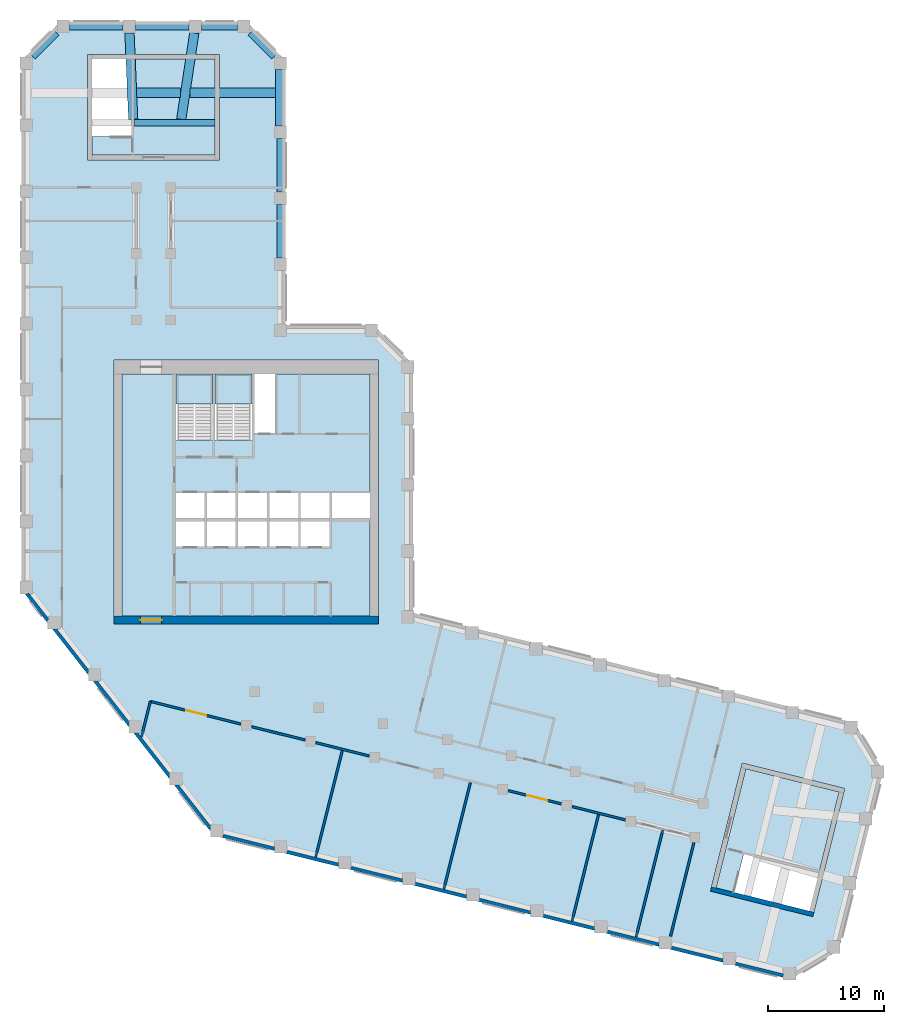
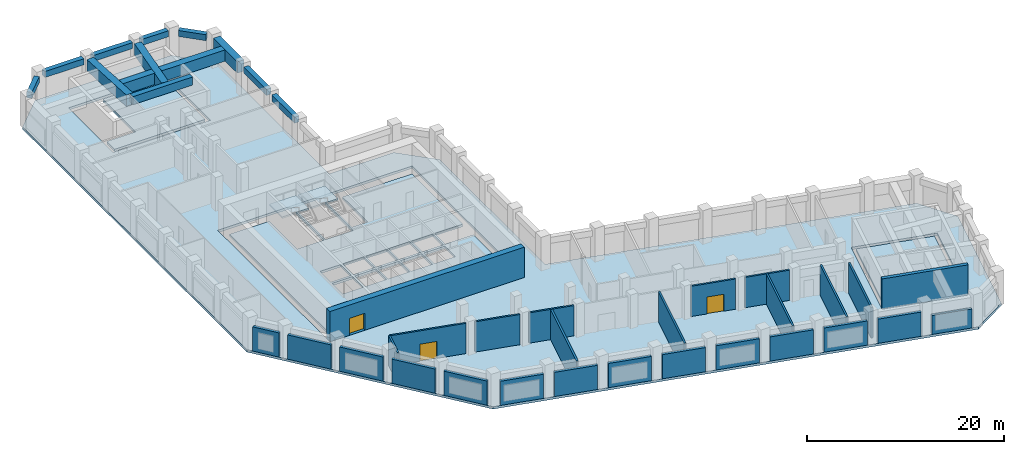
# One storey, part 2 of 8: 27 walls, 13 beams, 6 slabs, 3 doors, 3 openings, 2 elements without a shape of their own.
"""IFC4 building model written with IfcOpenShell, lengths in metres."""

from ifc_helpers import new_model, si_unit, direction, frame, frame_2d, origin, origin_2d, place, context, subcontext, project, spatial, polyline, rectangle, outline, extrude, material, layer, layer_set, material_profile, profile_set, type_object, element, fill, aggregate, save


model = new_model("IFC4")

# Units and contexts
model_context = context("Model", 3, precision=1e-05, world=origin(), true_north=direction((0.0, 1.0)))
body_context = subcontext(model_context, "Body", "Model", "MODEL_VIEW")
ifc_project = project(units=[si_unit("LENGTHUNIT", "METRE"), si_unit("AREAUNIT", "SQUARE_METRE"), si_unit("VOLUMEUNIT", "CUBIC_METRE"), si_unit("PLANEANGLEUNIT", "RADIAN"), si_unit("MASSUNIT", "GRAM", prefix="KILO")], contexts=[model_context])

# Site, building, storey
site_placement = place(None, origin())
site = spatial("IfcSite", under=ifc_project, at=site_placement, CompositionType="ELEMENT")
building_placement = place(site_placement, origin())
building = spatial("IfcBuilding", under=site, at=building_placement, Name="Meshkara Civic Tower", CompositionType="ELEMENT")
storey_placement = place(building_placement, frame((0.0, 0.0, 280.199951171875)))
storey = spatial("IfcBuildingStorey", under=building, at=storey_placement, Name="L64", CompositionType="ELEMENT", Elevation=280.199951171875)

# Beams
ifc_material_1 = material(Name="Concrete C60", Category="concrete")
ifc_material_profile_1 = material_profile(ifc_material_1, rectangle(XDim=0.60009765625, YDim=1.0, at=origin_2d()))
ifc_profile_set_1 = profile_set([ifc_material_profile_1], Name="Concrete C60")
beam_type_1 = type_object("IfcBeamType", Name="Core transfer beam RC 600x1000 C60", PredefinedType="BEAM", material=ifc_profile_set_1)
beam_1_placement = place(storey_placement, frame((9.699951171875, 57.3701171875, 3.25), z_axis=(1.0, 0.0, 0.0), x_axis=(0.0, 1.0, 0.0)))
element("IfcBeam", 1, at=beam_1_placement, inside=storey, type_object=beam_type_1, Name="Transfer beam A L65 tip-side wall", PredefinedType="BEAM", context=body_context, shape_type="SweptSolid", body=[
    extrude(rectangle(XDim=0.60009765625, YDim=1.0, at=origin_2d()), origin(), (0.0, 0.0, 1.0), 7.0),
])
ifc_material_2 = material(Name="Concrete C60", Category="concrete")
ifc_material_profile_2 = material_profile(ifc_material_2, rectangle(XDim=0.550048828125, YDim=0.75, at=origin_2d()))
ifc_profile_set_2 = profile_set([ifc_material_profile_2], Name="Concrete C60")
beam_type_2 = type_object("IfcBeamType", Name="Spandrel beam RC 550x750 C60", PredefinedType="BEAM", material=ifc_profile_set_2)
for number, where, z_axis, x_axis, name in (
    (2, (22.35009765625, 45.695068359375, 3.375), (0.0, 1.0, 0.0), (-1.0, 0.0, 0.0), "Spandrel beam AE01-AE02"),
    (3, (22.35009765625, 51.39501953125, 3.375), (0.0, 1.0, 0.0), (-1.0, 0.0, 0.0), "Spandrel beam AE02-AE03"),
):
    element("IfcBeam", number, at=place(storey_placement, frame(where, z_axis=z_axis, x_axis=x_axis)), inside=storey, type_object=beam_type_2, Name=name, PredefinedType="BEAM", context=body_context, shape_type="SweptSolid", body=[
        extrude(rectangle(XDim=0.550048828125, YDim=0.75, at=origin_2d()), origin(), (0.0, 0.0, 1.0), 4.60986328125),
    ])
beam_2_placement = place(storey_placement, frame((21.803466796875, 63.060546875, 3.375), z_axis=(-0.707106781187, 0.707106781187, 0.0), x_axis=(-0.707106781187, -0.707106781187, 0.0)))
element("IfcBeam", 4, at=beam_2_placement, inside=storey, type_object=beam_type_2, Name="Spandrel beam AEEP3-ATiEP3", PredefinedType="BEAM", context=body_context, shape_type="SweptSolid", body=[
    extrude(rectangle(XDim=0.550048828125, YDim=0.75, at=origin_2d()), origin(), (0.0, 0.0, 1.0), 2.91748046875),
])
beam_3_placement = place(storey_placement, frame((18.64892578125, 65.669921875, 3.375), z_axis=(-1.0, 0.0, 0.0), x_axis=(0.0, -1.0, 0.0)))
element("IfcBeam", 5, at=beam_3_placement, inside=storey, type_object=beam_type_2, Name="Spandrel beam AT02-P3-ATiEP3", PredefinedType="BEAM", context=body_context, shape_type="SweptSolid", body=[
    extrude(rectangle(XDim=0.550048828125, YDim=0.75, at=origin_2d()), origin(), (0.0, 0.0, 1.0), 3.097900390625),
])
beam_4_placement = place(storey_placement, frame((14.4609375, 65.669921875, 3.375), z_axis=(-1.0, 0.0, 0.0), x_axis=(0.0, -1.0, 0.0)))
element("IfcBeam", 6, at=beam_4_placement, inside=storey, type_object=beam_type_2, Name="Spandrel beam AT01-P3-AT02-P3", PredefinedType="BEAM", context=body_context, shape_type="SweptSolid", body=[
    extrude(rectangle(XDim=0.550048828125, YDim=0.75, at=origin_2d()), origin(), (0.0, 0.0, 1.0), 4.60986328125),
])
beam_5_placement = place(storey_placement, frame((8.760986328125, 65.669921875, 3.375), z_axis=(-1.0, 0.0, 0.0), x_axis=(0.0, -1.0, 0.0)))
element("IfcBeam", 7, at=beam_5_placement, inside=storey, type_object=beam_type_2, Name="Spandrel beam AT00-P3-AT01-P3", PredefinedType="BEAM", context=body_context, shape_type="SweptSolid", body=[
    extrude(rectangle(XDim=0.550048828125, YDim=0.75, at=origin_2d()), origin(), (0.0, 0.0, 1.0), 4.610107421875),
])
beam_6_placement = place(storey_placement, frame((3.0595703125, 65.12353515625, 3.375), z_axis=(-0.707106781187, -0.707106781187, 0.0), x_axis=(0.707106781187, -0.707106781187, 0.0)))
element("IfcBeam", 8, at=beam_6_placement, inside=storey, type_object=beam_type_2, Name="Spandrel beam AT00-P3-ATo00-P3", PredefinedType="BEAM", context=body_context, shape_type="SweptSolid", body=[
    extrude(rectangle(XDim=0.550048828125, YDim=0.75, at=origin_2d()), origin(), (0.0, 0.0, 1.0), 2.91748046875),
])
ifc_material_3 = material(Name="Concrete C70", Category="concrete")
ifc_material_profile_3 = material_profile(ifc_material_3, rectangle(XDim=0.800048828125, YDim=1.39990234375, at=origin_2d()))
ifc_profile_set_3 = profile_set([ifc_material_profile_3], Name="Concrete C70")
beam_type_3 = type_object("IfcBeamType", Name="Transfer girder RC 800x1400 C70", PredefinedType="BEAM", material=ifc_profile_set_3)
beam_7_placement = place(storey_placement, frame((22.35009765625, 57.094970703125, 3.050048828125), z_axis=(0.0, 1.0, 0.0), x_axis=(-1.0, 0.0, 0.0)))
element("IfcBeam", 9, at=beam_7_placement, inside=storey, type_object=beam_type_3, Name="Transfer girder AE03-AEEP3", PredefinedType="BEAM", context=body_context, shape_type="SweptSolid", body=[
    extrude(rectangle(XDim=0.800048828125, YDim=1.39990234375, at=origin_2d()), origin(), (0.0, 0.0, 1.0), 4.8740234375),
])
beam_8_placement = place(storey_placement, frame((9.6474609375, 57.669921875, 3.050048828125), z_axis=(-0.042632150905, 0.999090836566, 0.0), x_axis=(-0.999090836566, -0.042632150905, 0.0)))
element("IfcBeam", 10, at=beam_8_placement, inside=storey, type_object=beam_type_3, Name="Transfer girder AT01-P3-SA1-06", PredefinedType="BEAM", context=body_context, shape_type="SweptSolid", body=[
    extrude(rectangle(XDim=0.800048828125, YDim=1.39990234375, at=origin_2d()), origin(), (0.0, 0.0, 1.0), 7.4619140625),
])
beam_9_placement = place(storey_placement, frame((13.795654296875, 57.669921875, 3.050048828125), z_axis=(0.149594355509, 0.98874745451, 0.0), x_axis=(-0.98874745451, 0.149594355509, 0.0)))
element("IfcBeam", 11, at=beam_9_placement, inside=storey, type_object=beam_type_3, Name="Transfer girder AT02-P3-SA2-06", PredefinedType="BEAM", context=body_context, shape_type="SweptSolid", body=[
    extrude(rectangle(XDim=0.800048828125, YDim=1.39990234375, at=origin_2d()), origin(), (0.0, 0.0, 1.0), 7.5400390625),
])
beam_10_placement = place(storey_placement, frame((9.94921875, 59.969970703125, 3.050048828125), z_axis=(1.0, 0.0, 0.0), x_axis=(0.0, 1.0, 0.0)))
element("IfcBeam", 12, at=beam_10_placement, inside=storey, type_object=beam_type_3, Name="Transfer girder tip A L65", PredefinedType="BEAM", context=body_context, shape_type="SweptSolid", body=[
    extrude(rectangle(XDim=0.800048828125, YDim=1.39990234375, at=origin_2d()), origin(), (0.0, 0.0, 1.0), 3.79443359375),
])
beam_11_placement = place(storey_placement, frame((14.543701171875, 59.969970703125, 3.050048828125), z_axis=(1.0, 0.0, 0.0), x_axis=(0.0, 1.0, 0.0)))
element("IfcBeam", 13, at=beam_11_placement, inside=storey, type_object=beam_type_3, Name="Transfer girder tip A L65", PredefinedType="BEAM", context=body_context, shape_type="SweptSolid", body=[
    extrude(rectangle(XDim=0.800048828125, YDim=1.39990234375, at=origin_2d()), origin(), (0.0, 0.0, 1.0), 7.40625),
])

# Slabs
ifc_material_4 = material(Name="Concrete C40/50", Category="concrete")
ifc_layer_1 = layer(ifc_material_4, 0.300048828125)
ifc_layer_set_1 = layer_set([ifc_layer_1], Name="Core floor slab 300 C40/50")
slab_type_1 = type_object("IfcSlabType", Name="Core floor slab 300 C40/50", PredefinedType="FLOOR", material=ifc_layer_set_1)
slab_1_placement = place(storey_placement, frame((0.0, 0.0, -0.300048828125)))
element("IfcSlab", 14, at=slab_1_placement, inside=storey, type_object=slab_type_1, Name="Core floor K", PredefinedType="FLOOR", context=body_context, shape_type="SweptSolid", body=[
    extrude(outline(polyline([(8.699951171875, 35.699951171875), (13.35009765625, 35.699951171875), (13.35009765625, 30.00146484375), (16.5, 30.00146484375), (16.5, 35.699951171875), (16.699951171875, 35.699951171875), (16.699951171875, 30.00146484375), (19.89990234375, 30.00146484375), (19.89990234375, 35.699951171875), (20.10009765625, 35.699951171875), (20.10009765625, 30.574951171875), (21.925048828125, 30.574951171875), (21.925048828125, 35.699951171875), (30.10009765625, 35.699951171875), (30.10009765625, 25.39990234375), (26.800048828125, 25.39990234375), (26.800048828125, 23.25), (30.10009765625, 23.25), (30.10009765625, 14.800048828125), (8.699951171875, 14.800048828125), (8.699951171875, 35.699951171875)]), holes=[polyline([(15.800048828125, 22.949951171875), (13.35009765625, 22.949951171875), (13.35009765625, 20.800048828125), (15.800048828125, 20.800048828125), (15.800048828125, 22.949951171875)]), polyline([(16.0, 22.949951171875), (16.0, 20.800048828125), (18.5, 20.800048828125), (18.5, 22.949951171875), (16.0, 22.949951171875)]), polyline([(18.699951171875, 22.949951171875), (18.699951171875, 20.800048828125), (21.199951171875, 20.800048828125), (21.199951171875, 22.949951171875), (18.699951171875, 22.949951171875)]), polyline([(15.800048828125, 23.25), (15.800048828125, 25.39990234375), (13.35009765625, 25.39990234375), (13.35009765625, 23.25), (15.800048828125, 23.25)]), polyline([(16.0, 25.39990234375), (16.0, 23.25), (18.5, 23.25), (18.5, 25.39990234375), (16.0, 25.39990234375)]), polyline([(23.89990234375, 20.800048828125), (23.89990234375, 22.949951171875), (21.39990234375, 22.949951171875), (21.39990234375, 20.800048828125), (23.89990234375, 20.800048828125)]), polyline([(24.10009765625, 20.800048828125), (26.60009765625, 20.800048828125), (26.60009765625, 22.949951171875), (24.10009765625, 22.949951171875), (24.10009765625, 20.800048828125)]), polyline([(18.699951171875, 25.39990234375), (18.699951171875, 23.25), (21.199951171875, 23.25), (21.199951171875, 25.39990234375), (18.699951171875, 25.39990234375)]), polyline([(21.39990234375, 23.25), (23.89990234375, 23.25), (23.89990234375, 25.39990234375), (21.39990234375, 25.39990234375), (21.39990234375, 23.25)]), polyline([(26.60009765625, 23.25), (26.60009765625, 25.39990234375), (24.10009765625, 25.39990234375), (24.10009765625, 23.25), (26.60009765625, 23.25)])]), origin(), (0.0, 0.0, 1.0), 0.300048828125),
])
slab_2_placement = place(storey_placement, frame((0.0, 0.0, -0.300048828125)))
element("IfcSlab", 15, at=slab_2_placement, inside=storey, type_object=slab_type_1, Name="Core floor EA", PredefinedType="FLOOR", context=body_context, shape_type="SweptSolid", body=[
    extrude(outline(polyline([(16.699951171875, 54.570068359375), (16.699951171875, 62.8701171875), (9.5, 62.8701171875), (9.5, 56.17138671875), (6.10009765625, 56.17138671875), (6.10009765625, 54.570068359375), (16.699951171875, 54.570068359375)])), origin(), (0.0, 0.0, 1.0), 0.300048828125),
])
slab_3_placement = place(storey_placement, frame((0.0, 0.0, -0.300048828125)))
element("IfcSlab", 16, at=slab_3_placement, inside=storey, type_object=slab_type_1, Name="Core floor EB", PredefinedType="FLOOR", context=body_context, shape_type="SweptSolid", body=[
    extrude(outline(polyline([(62.519775390625, 1.623291015625), (70.5732421875, -0.384765625), (68.83154296875, -7.370849609375), (62.33203125, -5.750244140625), (61.50927734375, -9.04931640625), (59.95556640625, -8.661865234375), (62.519775390625, 1.623291015625)])), origin(), (0.0, 0.0, 1.0), 0.300048828125),
])

# Stair, slab
ifc_material_5 = material(Name="Precast concrete C40/50", Category="concrete")
stair_type = type_object("IfcStairType", Name="Exit stair half-turn 24 risers precast", PredefinedType="HALF_TURN_STAIR", material=ifc_material_5)
stair_1_placement = place(storey_placement, origin())
stair_1 = element("IfcStair", 17, at=stair_1_placement, inside=storey, type_object=stair_type, Name="L64 exit stair 1", PredefinedType="HALF_TURN_STAIR")
ifc_material_6 = material(Name="Precast concrete C40/50", Category="concrete")
ifc_layer_2 = layer(ifc_material_6, 0.199951171875)
ifc_layer_set_2 = layer_set([ifc_layer_2], Name="Exit stair landing 200")
slab_type_2 = type_object("IfcSlabType", Name="Exit stair landing 200", PredefinedType="LANDING", material=ifc_layer_set_2)
slab_4_placement = place(storey_placement, frame((0.0, 0.0, 1.900146484375)))
slab_4 = element("IfcSlab", 18, at=slab_4_placement, type_object=slab_type_2, Name="ST1 landing 1", PredefinedType="LANDING", context=body_context, shape_type="SweptSolid", body=[
    extrude(outline(polyline([(16.5, 33.07861328125), (16.5, 35.699951171875), (13.35009765625, 35.699951171875), (13.35009765625, 33.07861328125), (16.5, 33.07861328125)])), origin(), (0.0, 0.0, 1.0), 0.199951171875),
])
aggregate(stair_1, [slab_4])

stair_2_placement = place(storey_placement, origin())
stair_2 = element("IfcStair", 19, at=stair_2_placement, inside=storey, type_object=stair_type, Name="L64 exit stair 2", PredefinedType="HALF_TURN_STAIR")
slab_5_placement = place(storey_placement, frame((0.0, 0.0, 1.900146484375)))
slab_5 = element("IfcSlab", 20, at=slab_5_placement, type_object=slab_type_2, Name="ST2 landing 1", PredefinedType="LANDING", context=body_context, shape_type="SweptSolid", body=[
    extrude(outline(polyline([(19.89990234375, 33.07861328125), (19.89990234375, 35.699951171875), (16.699951171875, 35.699951171875), (16.699951171875, 33.07861328125), (19.89990234375, 33.07861328125)])), origin(), (0.0, 0.0, 1.0), 0.199951171875),
])
aggregate(stair_2, [slab_5])

# Slab
ifc_material_7 = material(Name="Concrete C50", Category="concrete")
ifc_layer_3 = layer(ifc_material_7, 0.300048828125)
ifc_layer_set_3 = layer_set([ifc_layer_3], Name="Post-tensioned flat slab 300 C50")
slab_type_3 = type_object("IfcSlabType", Name="Post-tensioned flat slab 300 C50", PredefinedType="FLOOR", material=ifc_layer_set_3)
slab_6_placement = place(storey_placement, frame((0.0, 0.0, -0.300048828125)))
element("IfcSlab", 21, at=slab_6_placement, inside=storey, type_object=slab_type_3, Name="Post-tensioned flat slab L64", PredefinedType="FLOOR", context=body_context, shape_type="SweptSolid", body=[
    extrude(outline(polyline([(70.513916015625, -14.055908203125), (66.367919921875, -16.547119140625), (16.592041015625, -4.136962890625), (0.0, 17.10009765625), (0.0, 62.699951171875), (3.419921875, 66.1201171875), (19.3798828125, 66.1201171875), (22.800048828125, 62.699951171875), (22.800048828125, 39.89990234375), (30.3798828125, 39.89990234375), (33.800048828125, 36.47998046875), (33.800048828125, 15.071044921875), (71.884033203125, 5.574951171875), (74.375, 1.429931640625), (70.513916015625, -14.055908203125)]), holes=[polyline([(68.300048828125, -11.155029296875), (71.05810546875, -0.093017578125), (62.22802734375, 2.10791015625), (59.470947265625, -8.952880859375), (68.300048828125, -11.155029296875)]), polyline([(8.0, 14.10009765625), (30.800048828125, 14.10009765625), (30.800048828125, 36.89990234375), (8.0, 36.89990234375), (8.0, 14.10009765625)]), polyline([(5.699951171875, 63.27001953125), (5.699951171875, 54.169921875), (17.10009765625, 54.169921875), (17.10009765625, 63.27001953125), (5.699951171875, 63.27001953125)])]), origin(), (0.0, 0.0, 1.0), 0.300048828125),
])

# Wall, opening, door
ifc_material_8 = material(Name="Concrete C60", Category="concrete")
ifc_layer_4 = layer(ifc_material_8, 0.699951171875)
ifc_layer_set_4 = layer_set([ifc_layer_4], Name="Core ring wall 700 C60")
wall_type_1 = type_object("IfcWallType", Name="Core ring wall 700 C60", PredefinedType="SHEAR", material=ifc_layer_set_4)
wall_1_placement = place(storey_placement, frame((8.0, 14.449951171875, -0.300048828125), z_axis=(0.0, 0.0, 1.0), x_axis=(1.0, 0.0, 0.0)))
wall_1 = element("IfcWall", 22, at=wall_1_placement, inside=storey, type_object=wall_type_1, Name="L64-C001", PredefinedType="SHEAR", context=body_context, shape_type="SweptSolid", body=[
    extrude(rectangle(XDim=22.800048828125, YDim=0.699951171875, at=frame_2d((11.39990234375, 0.0))), origin(), (0.0, 0.0, 1.0), 4.050048828125),
])
opening_1_placement = place(wall_1_placement, frame((2.300048828125, 0.0, 0.300048828125)))
opening_1 = element("IfcOpeningElement", 23, at=opening_1_placement, cuts=wall_1, Name="Opening L64-K021", PredefinedType="OPENING", context=body_context, shape_type="SweptSolid", body=[
    extrude(rectangle(XDim=1.800048828125, YDim=2.10009765625, at=frame_2d((0.89990234375, 1.050048828125))), frame((0.0, 0.35986328125, 0.0), z_axis=(0.0, -1.0, 0.0), x_axis=(1.0, 0.0, 0.0)), (0.0, 0.0, 1.0), 0.719970703125),
])
ifc_material_9 = material(Name="Fire-rated door leaf in steel frame", Category="steel")
door_type_1 = type_object("IfcDoorType", Name="Core double door 1800 EI 60", OperationType="DOUBLE_DOOR_SINGLE_SWING", PredefinedType="DOOR", material=ifc_material_9)
door_1_placement = place(opening_1_placement, origin())
door_1 = element("IfcDoor", 24, at=door_1_placement, inside=storey, type_object=door_type_1, Name="L64-K021", OperationType="DOUBLE_DOOR_SINGLE_SWING", OverallHeight=2.10009765625, OverallWidth=1.800048828125, PredefinedType="DOOR", context=body_context, shape_type="SweptSolid", body=[
    extrude(rectangle(XDim=1.800048828125, YDim=2.10009765625, at=frame_2d((0.89990234375, 1.050048828125))), frame((0.0, 0.02490234375, 0.0), z_axis=(0.0, -1.0, 0.0), x_axis=(1.0, 0.0, 0.0)), (0.0, 0.0, 1.0), 0.050048828125),
])
fill(opening_1, door_1)

# Walls
ifc_material_10 = material(Name="Insulated infill panel with bronze anodised aluminium cladding", Category="aluminium")
ifc_layer_5 = layer(ifc_material_10, 0.300048828125)
ifc_layer_set_5 = layer_set([ifc_layer_5], Name="EXTERNAL INFILL WALL 300")
wall_type_2 = type_object("IfcWallType", Name="EXTERNAL INFILL WALL 300", PredefinedType="SOLIDWALL", material=ifc_layer_set_5)
wall_2_placement = place(storey_placement, frame((0.4990234375, 16.705078125, 0.0), z_axis=(0.0, 0.0, 1.0), x_axis=(0.615648999949, -0.78802050028, 0.0)))
element("IfcWall", 25, at=wall_2_placement, inside=storey, type_object=wall_type_2, Name="External wall", PredefinedType="SOLIDWALL", context=body_context, shape_type="SweptSolid", body=[
    extrude(rectangle(XDim=2.86669921875, YDim=0.300048828125, at=frame_2d((1.433349609375, 0.0))), origin(), (0.0, 0.0, 1.0), 3.0),
])
wall_3_placement = place(storey_placement, frame((2.863037109375, 13.678955078125, 0.0), z_axis=(0.0, 0.0, 1.0), x_axis=(0.615727244794, -0.787959364446, 0.0)))
element("IfcWall", 26, at=wall_3_placement, inside=storey, type_object=wall_type_2, Name="External wall", PredefinedType="SOLIDWALL", context=body_context, shape_type="SweptSolid", body=[
    extrude(rectangle(XDim=4.72607421875, YDim=0.300048828125, at=frame_2d((2.363037109375, 0.0))), origin(), (0.0, 0.0, 1.0), 3.0),
])
wall_4_placement = place(storey_placement, frame((6.373046875, 9.18701171875, 0.0), z_axis=(0.0, 0.0, 1.0), x_axis=(0.615601945293, -0.788057259945, 0.0)))
element("IfcWall", 27, at=wall_4_placement, inside=storey, type_object=wall_type_2, Name="External wall", PredefinedType="SOLIDWALL", context=body_context, shape_type="SweptSolid", body=[
    extrude(rectangle(XDim=4.72705078125, YDim=0.300048828125, at=frame_2d((2.363525390625, 0.0))), origin(), (0.0, 0.0, 1.0), 3.0),
])
for number, where, z_axis, x_axis, name in (
    (28, (9.882080078125, 4.695068359375, 0.0), (0.0, 0.0, 1.0), (0.615702182059, -0.787978948328, 0.0), "External wall"),
    (29, (13.39111328125, 0.2041015625, 0.0), (0.0, 0.0, 1.0), (0.615702182059, -0.787978948328, 0.0), "External wall"),
):
    element("IfcWall", number, at=place(storey_placement, frame(where, z_axis=z_axis, x_axis=x_axis)), inside=storey, type_object=wall_type_2, Name=name, PredefinedType="SOLIDWALL", context=body_context, shape_type="SweptSolid", body=[
        extrude(rectangle(XDim=4.72607421875, YDim=0.300048828125, at=frame_2d((2.363037109375, 0.0))), origin(), (0.0, 0.0, 1.0), 3.0),
    ])
wall_5_placement = place(storey_placement, frame((17.40087890625, -4.18408203125, 0.0), z_axis=(0.0, 0.0, 1.0), x_axis=(0.970286982272, -0.241956963183, 0.0)))
element("IfcWall", 30, at=wall_5_placement, inside=storey, type_object=wall_type_2, Name="External wall", PredefinedType="SOLIDWALL", context=body_context, shape_type="SweptSolid", body=[
    extrude(rectangle(XDim=4.56689453125, YDim=0.300048828125, at=frame_2d((2.283447265625, 0.0))), origin(), (0.0, 0.0, 1.0), 3.0),
])
wall_6_placement = place(storey_placement, frame((22.931884765625, -5.56298828125, 0.0), z_axis=(0.0, 0.0, 1.0), x_axis=(0.970324663654, -0.241805804532, 0.0)))
element("IfcWall", 31, at=wall_6_placement, inside=storey, type_object=wall_type_2, Name="External wall", PredefinedType="SOLIDWALL", context=body_context, shape_type="SweptSolid", body=[
    extrude(rectangle(XDim=4.565673828125, YDim=0.300048828125, at=frame_2d((2.28271484375, 0.0))), origin(), (0.0, 0.0, 1.0), 3.0),
])
for number, where, z_axis, x_axis, name in (
    (32, (28.4619140625, -6.94189453125, 0.0), (0.0, 0.0, 1.0), (0.970337166083, -0.241755628927, 0.0), "External wall"),
    (33, (33.992919921875, -8.321044921875, 0.0), (0.0, 0.0, 1.0), (0.970337166083, -0.241755628927, 0.0), "External wall"),
    (34, (39.52392578125, -9.699951171875, 0.0), (0.0, 0.0, 1.0), (0.970337166083, -0.241755628927, 0.0), "External wall"),
):
    element("IfcWall", number, at=place(storey_placement, frame(where, z_axis=z_axis, x_axis=x_axis)), inside=storey, type_object=wall_type_2, Name=name, PredefinedType="SOLIDWALL", context=body_context, shape_type="SweptSolid", body=[
        extrude(rectangle(XDim=4.566650390625, YDim=0.300048828125, at=frame_2d((2.283203125, 0.0))), origin(), (0.0, 0.0, 1.0), 3.0),
    ])
wall_7_placement = place(storey_placement, frame((45.054931640625, -11.0791015625, 0.0), z_axis=(0.0, 0.0, 1.0), x_axis=(0.970324663654, -0.241805804532, 0.0)))
element("IfcWall", 35, at=wall_7_placement, inside=storey, type_object=wall_type_2, Name="External wall", PredefinedType="SOLIDWALL", context=body_context, shape_type="SweptSolid", body=[
    extrude(rectangle(XDim=4.565673828125, YDim=0.300048828125, at=frame_2d((2.28271484375, 0.0))), origin(), (0.0, 0.0, 1.0), 3.0),
])
for number, where, z_axis, x_axis, name in (
    (36, (50.5849609375, -12.4580078125, 0.0), (0.0, 0.0, 1.0), (0.970337166083, -0.241755628927, 0.0), "External wall"),
    (37, (56.115966796875, -13.8369140625, 0.0), (0.0, 0.0, 1.0), (0.970337166083, -0.241755628927, 0.0), "External wall"),
):
    element("IfcWall", number, at=place(storey_placement, frame(where, z_axis=z_axis, x_axis=x_axis)), inside=storey, type_object=wall_type_2, Name=name, PredefinedType="SOLIDWALL", context=body_context, shape_type="SweptSolid", body=[
        extrude(rectangle(XDim=4.566650390625, YDim=0.300048828125, at=frame_2d((2.283203125, 0.0))), origin(), (0.0, 0.0, 1.0), 3.0),
    ])
wall_8_placement = place(storey_placement, frame((61.64697265625, -15.216064453125, 0.0), z_axis=(0.0, 0.0, 1.0), x_axis=(0.970352910098, -0.241692428233, 0.0)))
element("IfcWall", 38, at=wall_8_placement, inside=storey, type_object=wall_type_2, Name="External wall", PredefinedType="SOLIDWALL", context=body_context, shape_type="SweptSolid", body=[
    extrude(rectangle(XDim=4.224365234375, YDim=0.300048828125, at=frame_2d((2.1123046875, 0.0))), origin(), (0.0, 0.0, 1.0), 2.35009765625),
])
ifc_material_11 = material(Name="Concrete C60", Category="concrete")
ifc_layer_6 = layer(ifc_material_11, 0.39990234375)
ifc_layer_set_6 = layer_set([ifc_layer_6], Name="End core ring wall 400 C60")
wall_type_3 = type_object("IfcWallType", Name="End core ring wall 400 C60", PredefinedType="SHEAR", material=ifc_layer_set_6)
wall_9_placement = place(storey_placement, frame((59.51904296875, -8.759033203125, -0.300048828125), z_axis=(0.0, 0.0, 1.0), x_axis=(0.970287509026, -0.241954850805, 0.0)))
element("IfcWall", 39, at=wall_9_placement, inside=storey, type_object=wall_type_3, Name="L64-C032", PredefinedType="SHEAR", context=body_context, shape_type="SweptSolid", body=[
    extrude(rectangle(XDim=9.1005859375, YDim=0.39990234375, at=frame_2d((4.55029296875, 0.0))), origin(), (0.0, 0.0, 1.0), 4.050048828125),
])
ifc_material_12 = material(Name="Fire-rated wall 200")
ifc_layer_7 = layer(ifc_material_12, 0.199951171875)
ifc_layer_set_7 = layer_set([ifc_layer_7], Name="Fire-rated wall 200")
wall_type_4 = type_object("IfcWallType", Name="Fire-rated wall 200", PredefinedType="PARTITIONING", material=ifc_layer_set_7)
wall_10_placement = place(storey_placement, frame((10.35595703125, 4.33203125, 0.0), z_axis=(0.0, 0.0, 1.0), x_axis=(0.241869632235, 0.970308755501, 0.0)))
element("IfcWall", 40, at=wall_10_placement, inside=storey, type_object=wall_type_4, Name="L64-R006", PredefinedType="PARTITIONING", context=body_context, shape_type="SweptSolid", body=[
    extrude(rectangle(XDim=3.191650390625, YDim=0.199951171875, at=frame_2d((1.595703125, 0.0))), origin(), (0.0, 0.0, 1.0), 3.75),
])

# Wall, opening, door
wall_11_placement = place(storey_placement, frame((11.1279296875, 7.428955078125, 0.0), z_axis=(0.0, 0.0, 1.0), x_axis=(0.970306088087, -0.241880332852, 0.0)))
wall_11 = element("IfcWall", 41, at=wall_11_placement, inside=storey, type_object=wall_type_4, Name="L64-R007", PredefinedType="PARTITIONING", context=body_context, shape_type="SweptSolid", body=[
    extrude(rectangle(XDim=8.065673828125, YDim=0.199951171875, at=frame_2d((4.03271484375, 0.0))), origin(), (0.0, 0.0, 1.0), 3.75),
])
opening_2_placement = place(wall_11_placement, frame((3.179931640625, 0.0, 0.0)))
opening_2 = element("IfcOpeningElement", 42, at=opening_2_placement, cuts=wall_11, Name="Opening L64-P009", PredefinedType="OPENING", context=body_context, shape_type="SweptSolid", body=[
    extrude(rectangle(XDim=1.800048828125, YDim=2.10009765625, at=frame_2d((0.89990234375, 1.050048828125))), frame((0.0, 0.10986328125, 0.0), z_axis=(0.0, -1.0, 0.0), x_axis=(1.0, 0.0, 0.0)), (0.0, 0.0, 1.0), 0.219970703125),
])
ifc_material_13 = material(Name="Door pair 1800 x 2100")
door_type_2 = type_object("IfcDoorType", Name="Door pair 1800 x 2100", OperationType="SINGLE_SWING_LEFT", PredefinedType="DOOR", material=ifc_material_13)
door_2_placement = place(opening_2_placement, origin())
door_2 = element("IfcDoor", 43, at=door_2_placement, inside=storey, type_object=door_type_2, Name="L64-P009", OperationType="DOUBLE_DOOR_SINGLE_SWING", OverallHeight=2.10009765625, OverallWidth=1.800048828125, PredefinedType="DOOR", context=body_context, shape_type="SweptSolid", body=[
    extrude(rectangle(XDim=1.800048828125, YDim=2.10009765625, at=frame_2d((0.89990234375, 1.050048828125))), frame((0.0, 0.02490234375, 0.0), z_axis=(0.0, -1.0, 0.0), x_axis=(1.0, 0.0, 0.0)), (0.0, 0.0, 1.0), 0.050048828125),
])
fill(opening_2, door_2)

# Walls
wall_12_placement = place(storey_placement, frame((19.89404296875, 5.242919921875, 0.0), z_axis=(0.0, 0.0, 1.0), x_axis=(0.970324390034, -0.241806902517, 0.0)))
element("IfcWall", 44, at=wall_12_placement, inside=storey, type_object=wall_type_4, Name="L64-R011", PredefinedType="PARTITIONING", context=body_context, shape_type="SweptSolid", body=[
    extrude(rectangle(XDim=4.730224609375, YDim=0.199951171875, at=frame_2d((2.365234375, 0.0))), origin(), (0.0, 0.0, 1.0), 3.75),
])
wall_13_placement = place(storey_placement, frame((25.424072265625, 3.864013671875, 0.0), z_axis=(0.0, 0.0, 1.0), x_axis=(0.970324351393, -0.241807057574, 0.0)))
element("IfcWall", 45, at=wall_13_placement, inside=storey, type_object=wall_type_4, Name="L64-R013", PredefinedType="PARTITIONING", context=body_context, shape_type="SweptSolid", body=[
    extrude(rectangle(XDim=4.731201171875, YDim=0.199951171875, at=frame_2d((2.36572265625, 0.0))), origin(), (0.0, 0.0, 1.0), 3.75),
])

# Wall, opening, door
wall_14_placement = place(storey_placement, frame((42.01611328125, -0.27294921875, 0.0), z_axis=(0.0, 0.0, 1.0), x_axis=(0.970324351393, -0.241807057574, 0.0)))
wall_14 = element("IfcWall", 46, at=wall_14_placement, inside=storey, type_object=wall_type_4, Name="L64-R021", PredefinedType="PARTITIONING", context=body_context, shape_type="SweptSolid", body=[
    extrude(rectangle(XDim=4.731201171875, YDim=0.199951171875, at=frame_2d((2.36572265625, 0.0))), origin(), (0.0, 0.0, 1.0), 3.75),
])
opening_3_placement = place(wall_14_placement, frame((1.679931640625, 0.0, 0.0)))
opening_3 = element("IfcOpeningElement", 47, at=opening_3_placement, cuts=wall_14, Name="Opening L64-P001", PredefinedType="OPENING", context=body_context, shape_type="SweptSolid", body=[
    extrude(rectangle(XDim=1.800048828125, YDim=2.10009765625, at=frame_2d((0.89990234375, 1.050048828125))), frame((0.0, 0.10986328125, 0.0), z_axis=(0.0, -1.0, 0.0), x_axis=(1.0, 0.0, 0.0)), (0.0, 0.0, 1.0), 0.219970703125),
])
door_3_placement = place(opening_3_placement, origin())
door_3 = element("IfcDoor", 48, at=door_3_placement, inside=storey, type_object=door_type_2, Name="L64-P001", OperationType="DOUBLE_DOOR_SINGLE_SWING", OverallHeight=2.10009765625, OverallWidth=1.800048828125, PredefinedType="DOOR", context=body_context, shape_type="SweptSolid", body=[
    extrude(rectangle(XDim=1.800048828125, YDim=2.10009765625, at=frame_2d((0.89990234375, 1.050048828125))), frame((0.0, 0.02490234375, 0.0), z_axis=(0.0, -1.0, 0.0), x_axis=(1.0, 0.0, 0.0)), (0.0, 0.0, 1.0), 0.050048828125),
])
fill(opening_3, door_3)

# Walls
wall_15_placement = place(storey_placement, frame((47.547119140625, -1.652099609375, 0.0), z_axis=(0.0, 0.0, 1.0), x_axis=(0.970336457776, -0.241758471851, 0.0)))
element("IfcWall", 49, at=wall_15_placement, inside=storey, type_object=wall_type_4, Name="L64-R023", PredefinedType="PARTITIONING", context=body_context, shape_type="SweptSolid", body=[
    extrude(rectangle(XDim=4.731201171875, YDim=0.199951171875, at=frame_2d((2.36572265625, 0.0))), origin(), (0.0, 0.0, 1.0), 3.75),
])
wall_16_placement = place(storey_placement, frame((58.0419921875, -4.761962890625, 0.0), z_axis=(0.0, 0.0, 1.0), x_axis=(-0.241913037209, -0.970297934878, 0.0)))
element("IfcWall", 50, at=wall_16_placement, inside=storey, type_object=wall_type_4, Name="L64-R027", PredefinedType="PARTITIONING", context=body_context, shape_type="SweptSolid", body=[
    extrude(rectangle(XDim=8.3046875, YDim=0.199951171875, at=frame_2d((4.15234375, 0.0))), origin(), (0.0, 0.0, 1.0), 3.75),
])
for number, where, z_axis, x_axis, name in (
    (51, (25.39697265625, -6.02294921875, 0.0), (0.0, 0.0, 1.0), (0.242000222655, 0.97027619379, 0.0), "L64-R035"),
    (52, (36.458984375, -8.781005859375, 0.0), (0.0, 0.0, 1.0), (0.241897946423, 0.970301697162, 0.0), "L64-R036"),
    (53, (47.52001953125, -11.5390625, 0.0), (0.0, 0.0, 1.0), (0.241897946423, 0.970301697162, 0.0), "L64-R040"),
):
    element("IfcWall", number, at=place(storey_placement, frame(where, z_axis=z_axis, x_axis=x_axis)), inside=storey, type_object=wall_type_4, Name=name, PredefinedType="PARTITIONING", context=body_context, shape_type="SweptSolid", body=[
        extrude(rectangle(XDim=9.5498046875, YDim=0.199951171875, at=frame_2d((4.77490234375, 0.0))), origin(), (0.0, 0.0, 1.0), 3.75),
    ])
wall_17_placement = place(storey_placement, frame((53.051025390625, -12.91796875, 0.0), z_axis=(0.0, 0.0, 1.0), x_axis=(0.241903947078, 0.970300201169, 0.0)))
element("IfcWall", 54, at=wall_17_placement, inside=storey, type_object=wall_type_4, Name="L64-R041", PredefinedType="PARTITIONING", context=body_context, shape_type="SweptSolid", body=[
    extrude(rectangle(XDim=9.549560546875, YDim=0.199951171875, at=frame_2d((4.77490234375, 0.0))), origin(), (0.0, 0.0, 1.0), 3.75),
])

save(model, "model.ifc")
